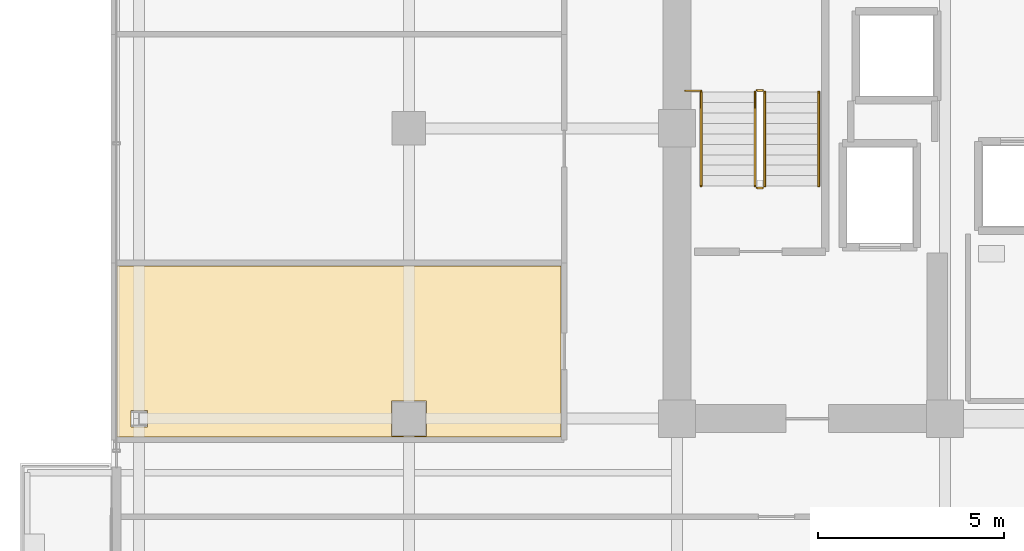
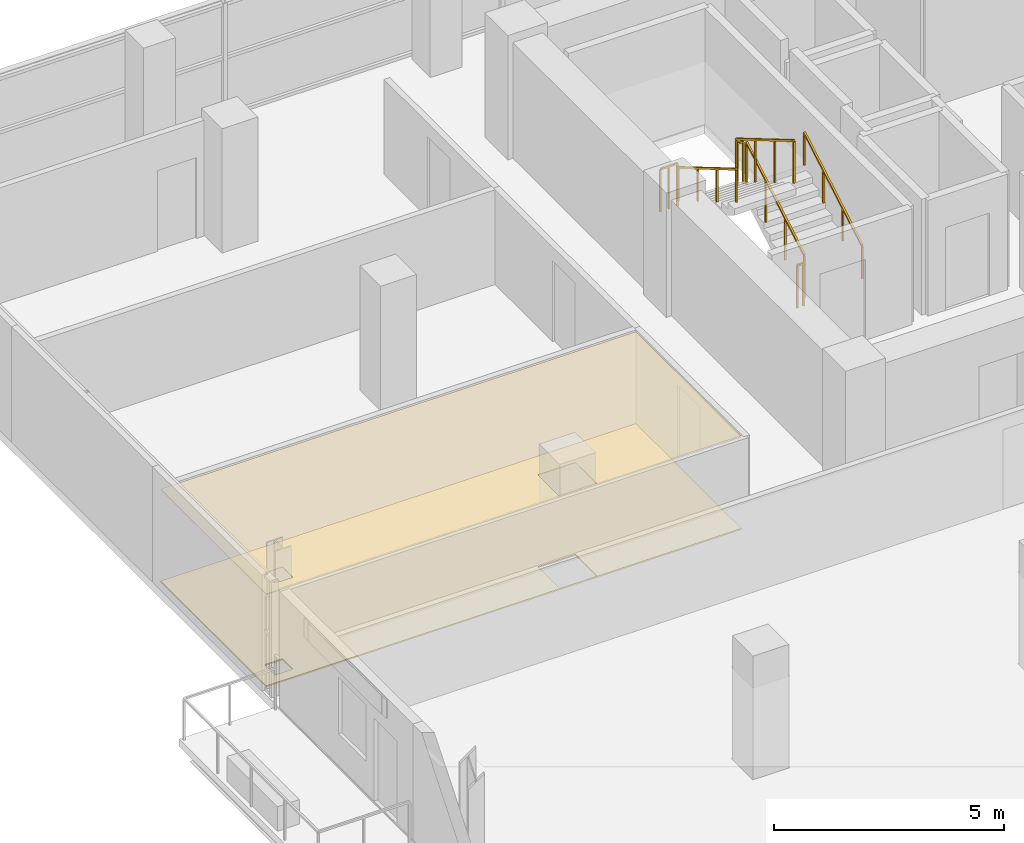
# One storey, part 25 of 28: 7 railings, 2 coverings.
"""IFC4 building model written with IfcOpenShell, lengths in metres."""

from ifc_helpers import new_model, si_unit, direction, frame, origin, origin_2d, place, context, subcontext, project, spatial, polyline, rectangle, outline, extrude, material, layer, layer_set, type_object, element, save


model = new_model("IFC4")

# Units and contexts
model_context = context("Model", 3, precision=1e-05, world=origin(), true_north=direction((0.0, 1.0)))
body_context = subcontext(model_context, "Body", "Model", "MODEL_VIEW")
ifc_project = project(units=[si_unit("LENGTHUNIT", "METRE"), si_unit("AREAUNIT", "SQUARE_METRE"), si_unit("VOLUMEUNIT", "CUBIC_METRE"), si_unit("PLANEANGLEUNIT", "RADIAN"), si_unit("MASSUNIT", "GRAM", prefix="KILO")], contexts=[model_context])

# Site, building, storey
site_placement = place(None, origin())
site = spatial("IfcSite", under=ifc_project, at=site_placement, CompositionType="ELEMENT")
building_placement = place(site_placement, origin())
building = spatial("IfcBuilding", under=site, at=building_placement, Name="Zarnakvel Exchange Tower", CompositionType="ELEMENT")
storey_placement = place(building_placement, frame((0.0, 0.0, 103.300048828125)))
storey = spatial("IfcBuildingStorey", under=building, at=storey_placement, Name="L28", CompositionType="ELEMENT", Elevation=103.300048828125)

# Coverings
ifc_material_1 = material(Name="Perforated Bronze Acoustic Metal Ceiling", Category="aluminium")
ifc_layer_1 = layer(ifc_material_1, 0.02001953125)
ifc_layer_set_1 = layer_set([ifc_layer_1], Name="Perforated Bronze Acoustic Metal Ceiling")
covering_type_1 = type_object("IfcCoveringType", Name="CLG-01", PredefinedType="CEILING", material=ifc_layer_set_1)
covering_1_placement = place(storey_placement, frame((0.0, 0.0, 2.454833984375)))
element("IfcCovering", 1, at=covering_1_placement, inside=storey, type_object=covering_type_1, Name="L28 Suspended Acoustic Ceiling (Executive Suite)", PredefinedType="CEILING", context=body_context, shape_type="SweptSolid", body=[
    extrude(outline(polyline([(-29.449951171875, 2.906982421875), (-17.510009765625, 2.906982421875), (-17.510009765625, -1.68994140625), (-29.449951171875, -1.68994140625), (-29.449951171875, 2.906982421875)]), holes=[polyline([(-21.1298828125, -1.669921875), (-21.1298828125, -0.72998046875), (-22.070068359375, -0.72998046875), (-22.070068359375, -1.669921875), (-21.1298828125, -1.669921875)]), polyline([(-28.6279296875, -1.423583984375), (-28.6279296875, -0.9765625), (-29.072021484375, -0.9765625), (-29.072021484375, -1.423583984375), (-28.6279296875, -1.423583984375)])]), origin(), (0.0, 0.0, 1.0), 0.02001953125),
])
ifc_material_2 = material(Name="Heavy-Duty Raised Access Floor Panel", Category="steel")
ifc_layer_2 = layer(ifc_material_2, 0.034912109375)
ifc_layer_set_2 = layer_set([ifc_layer_2], Name="Heavy-Duty Raised Access Floor Panel")
covering_type_2 = type_object("IfcCoveringType", Name="FLR-02", PredefinedType="FLOORING", material=ifc_layer_set_2)
covering_2_placement = place(storey_placement, origin())
element("IfcCovering", 2, at=covering_2_placement, inside=storey, type_object=covering_type_2, Name="L28 Floor Finish (Executive Suite)", PredefinedType="FLOORING", context=body_context, shape_type="SweptSolid", body=[
    extrude(outline(polyline([(-29.449951171875, 2.906982421875), (-17.510009765625, 2.906982421875), (-17.510009765625, -1.68994140625), (-29.449951171875, -1.68994140625), (-29.449951171875, 2.906982421875)]), holes=[polyline([(-21.1298828125, -1.669921875), (-21.1298828125, -0.72998046875), (-22.070068359375, -0.72998046875), (-22.070068359375, -1.669921875), (-21.1298828125, -1.669921875)]), polyline([(-28.6279296875, -1.423583984375), (-28.6279296875, -0.9765625), (-29.072021484375, -0.9765625), (-29.072021484375, -1.423583984375), (-28.6279296875, -1.423583984375)])]), origin(), (0.0, 0.0, 1.0), 0.034912109375),
])

# Railings
ifc_material_3 = material(Name="Brushed Stainless Steel", Category="steel")
railing_type_1 = type_object("IfcRailingType", Name="HR-01", PredefinedType="HANDRAIL", material=ifc_material_3)
railing_1_placement = place(storey_placement, frame((-10.590087890625, 5.050048828125, 0.1650390625)))
element("IfcRailing", 3, at=railing_1_placement, inside=storey, type_object=railing_type_1, Name="L28 ST-01 stair handrail 1", PredefinedType="HANDRAIL", context=body_context, shape_type="SweptSolid", body=[
    extrude(rectangle(XDim=0.048095703125, YDim=0.048095703125, at=origin_2d()), frame((0.0, 0.0, 0.8759765625), z_axis=(0.0, 0.861560626758, 0.507654692109), x_axis=(-1.0, 0.0, 0.0)), (0.0, 0.0, 1.0), 2.925048828125),
    extrude(rectangle(XDim=0.0419921875, YDim=0.0419921875, at=origin_2d()), origin(), (0.0, 0.0, 1.0), 0.851806640625),
    extrude(rectangle(XDim=0.0419921875, YDim=0.0419921875, at=origin_2d()), frame((0.0, 0.840087890625, 0.494873046875)), (0.0, 0.0, 1.0), 0.851806640625),
    extrude(rectangle(XDim=0.0419921875, YDim=0.0419921875, at=origin_2d()), frame((0.0, 1.679931640625, 0.989990234375)), (0.0, 0.0, 1.0), 0.851806640625),
    extrude(rectangle(XDim=0.0419921875, YDim=0.0419921875, at=origin_2d()), frame((0.0, 2.52001953125, 1.48486328125)), (0.0, 0.0, 1.0), 0.851806640625),
])
railing_2_placement = place(storey_placement, frame((-13.75, 7.570068359375, 1.81494140625)))
element("IfcRailing", 4, at=railing_2_placement, inside=storey, type_object=railing_type_1, Name="L28 ST-01 stair handrail 2", PredefinedType="HANDRAIL", context=body_context, shape_type="SweptSolid", body=[
    extrude(rectangle(XDim=0.048095703125, YDim=0.048095703125, at=origin_2d()), frame((0.0, 0.0, 0.8759765625), z_axis=(0.0, -0.86152411907, 0.507716645641), x_axis=(1.0, 0.0, 0.0)), (0.0, 0.0, 1.0), 2.925048828125),
    extrude(rectangle(XDim=0.0419921875, YDim=0.0419921875, at=origin_2d()), origin(), (0.0, 0.0, 1.0), 0.851806640625),
    extrude(rectangle(XDim=0.0419921875, YDim=0.0419921875, at=origin_2d()), frame((0.0, -0.840087890625, 0.4951171875)), (0.0, 0.0, 1.0), 0.851806640625),
    extrude(rectangle(XDim=0.0419921875, YDim=0.0419921875, at=origin_2d()), frame((0.0, -1.679931640625, 0.989990234375)), (0.0, 0.0, 1.0), 0.851806640625),
    extrude(rectangle(XDim=0.0419921875, YDim=0.0419921875, at=origin_2d()), frame((0.0, -2.52001953125, 1.485107421875)), (0.0, 0.0, 1.0), 0.851806640625),
])
ifc_material_4 = material(Name="Architectural Bronze Anodised Aluminium", Category="aluminium")
railing_type_2 = type_object("IfcRailingType", Name="SG-01", PredefinedType="GUARDRAIL", material=ifc_material_4)
railing_3_placement = place(storey_placement, frame((-12.0400390625, 5.050048828125, 0.1650390625)))
element("IfcRailing", 5, at=railing_3_placement, inside=storey, type_object=railing_type_2, Name="L28 ST-01 stair guard 1", PredefinedType="GUARDRAIL", context=body_context, shape_type="SweptSolid", body=[
    extrude(rectangle(XDim=0.048095703125, YDim=0.048095703125, at=origin_2d()), frame((0.0, 0.0, 1.1259765625), z_axis=(0.0, 0.861560626758, 0.507654692109), x_axis=(-1.0, 0.0, 0.0)), (0.0, 0.0, 1.0), 2.925048828125),
    extrude(rectangle(XDim=0.0419921875, YDim=0.0419921875, at=origin_2d()), origin(), (0.0, 0.0, 1.0), 1.101806640625),
    extrude(rectangle(XDim=0.0419921875, YDim=0.0419921875, at=origin_2d()), frame((0.0, 0.840087890625, 0.494873046875)), (0.0, 0.0, 1.0), 1.101806640625),
    extrude(rectangle(XDim=0.0419921875, YDim=0.0419921875, at=origin_2d()), frame((0.0, 1.679931640625, 0.989990234375)), (0.0, 0.0, 1.0), 1.101806640625),
    extrude(rectangle(XDim=0.0419921875, YDim=0.0419921875, at=origin_2d()), frame((0.0, 2.52001953125, 1.48486328125)), (0.0, 0.0, 1.0), 1.101806640625),
])
railing_4_placement = place(storey_placement, frame((-12.090087890625, 7.6201171875, 1.64990234375)))
element("IfcRailing", 6, at=railing_4_placement, inside=storey, type_object=railing_type_2, Name="L28 ST-01 stair guard 2", PredefinedType="GUARDRAIL", context=body_context, shape_type="SweptSolid", body=[
    extrude(rectangle(XDim=0.048095703125, YDim=0.048095703125, at=origin_2d()), frame((0.0, 0.0, 1.1259765625), z_axis=(-1.0, 0.0, 0.0), x_axis=(0.0, -1.0, 0.0)), (0.0, 0.0, 1.0), 0.159912109375),
    extrude(rectangle(XDim=0.0419921875, YDim=0.0419921875, at=origin_2d()), origin(), (0.0, 0.0, 1.0), 1.101806640625),
    extrude(rectangle(XDim=0.0419921875, YDim=0.0419921875, at=origin_2d()), frame((-0.159912109375, 0.0, 0.0)), (0.0, 0.0, 1.0), 1.101806640625),
])
railing_5_placement = place(storey_placement, frame((-12.300048828125, 7.570068359375, 1.81494140625)))
element("IfcRailing", 7, at=railing_5_placement, inside=storey, type_object=railing_type_2, Name="L28 ST-01 stair guard 3", PredefinedType="GUARDRAIL", context=body_context, shape_type="SweptSolid", body=[
    extrude(rectangle(XDim=0.048095703125, YDim=0.048095703125, at=origin_2d()), frame((0.0, 0.0, 1.1259765625), z_axis=(0.0, -0.86152411907, 0.507716645641), x_axis=(1.0, 0.0, 0.0)), (0.0, 0.0, 1.0), 2.925048828125),
    extrude(rectangle(XDim=0.0419921875, YDim=0.0419921875, at=origin_2d()), origin(), (0.0, 0.0, 1.0), 1.101806640625),
    extrude(rectangle(XDim=0.0419921875, YDim=0.0419921875, at=origin_2d()), frame((0.0, -0.840087890625, 0.4951171875)), (0.0, 0.0, 1.0), 1.101806640625),
    extrude(rectangle(XDim=0.0419921875, YDim=0.0419921875, at=origin_2d()), frame((0.0, -1.679931640625, 0.989990234375)), (0.0, 0.0, 1.0), 1.101806640625),
    extrude(rectangle(XDim=0.0419921875, YDim=0.0419921875, at=origin_2d()), frame((0.0, -2.52001953125, 1.485107421875)), (0.0, 0.0, 1.0), 1.101806640625),
])
railing_6_placement = place(storey_placement, frame((-12.090087890625, 5.0, 0.0)))
element("IfcRailing", 8, at=railing_6_placement, inside=storey, type_object=railing_type_2, Name="L28 ST-01 stair guard 4", PredefinedType="GUARDRAIL", context=body_context, shape_type="SweptSolid", body=[
    extrude(rectangle(XDim=0.048095703125, YDim=0.048095703125, at=origin_2d()), frame((0.0, 0.0, 1.1259765625), z_axis=(-1.0, 0.0, 0.0), x_axis=(0.0, -1.0, 0.0)), (0.0, 0.0, 1.0), 0.159912109375),
    extrude(rectangle(XDim=0.0419921875, YDim=0.0419921875, at=origin_2d()), origin(), (0.0, 0.0, 1.0), 1.101806640625),
    extrude(rectangle(XDim=0.0419921875, YDim=0.0419921875, at=origin_2d()), frame((-0.159912109375, 0.0, 0.0)), (0.0, 0.0, 1.0), 1.101806640625),
])
railing_7_placement = place(storey_placement, frame((-14.179931640625, 7.610107421875, 1.64990234375)))
element("IfcRailing", 9, at=railing_7_placement, inside=storey, type_object=railing_type_2, Name="L28 ST-01 Landing Slot Guardrail", PredefinedType="GUARDRAIL", context=body_context, shape_type="SweptSolid", body=[
    extrude(rectangle(XDim=0.048095703125, YDim=0.048095703125, at=origin_2d()), frame((0.0, 0.0, 1.1259765625), z_axis=(1.0, 0.0, 0.0), x_axis=(0.0, 1.0, 0.0)), (0.0, 0.0, 1.0), 0.429931640625),
    extrude(rectangle(XDim=0.0419921875, YDim=0.0419921875, at=origin_2d()), origin(), (0.0, 0.0, 1.0), 1.101806640625),
    extrude(rectangle(XDim=0.0419921875, YDim=0.0419921875, at=origin_2d()), frame((0.21484375, 0.0, 0.0)), (0.0, 0.0, 1.0), 1.101806640625),
    extrude(rectangle(XDim=0.0419921875, YDim=0.0419921875, at=origin_2d()), frame((0.429931640625, 0.0, 0.0)), (0.0, 0.0, 1.0), 1.101806640625),
])

save(model, "model.ifc")
